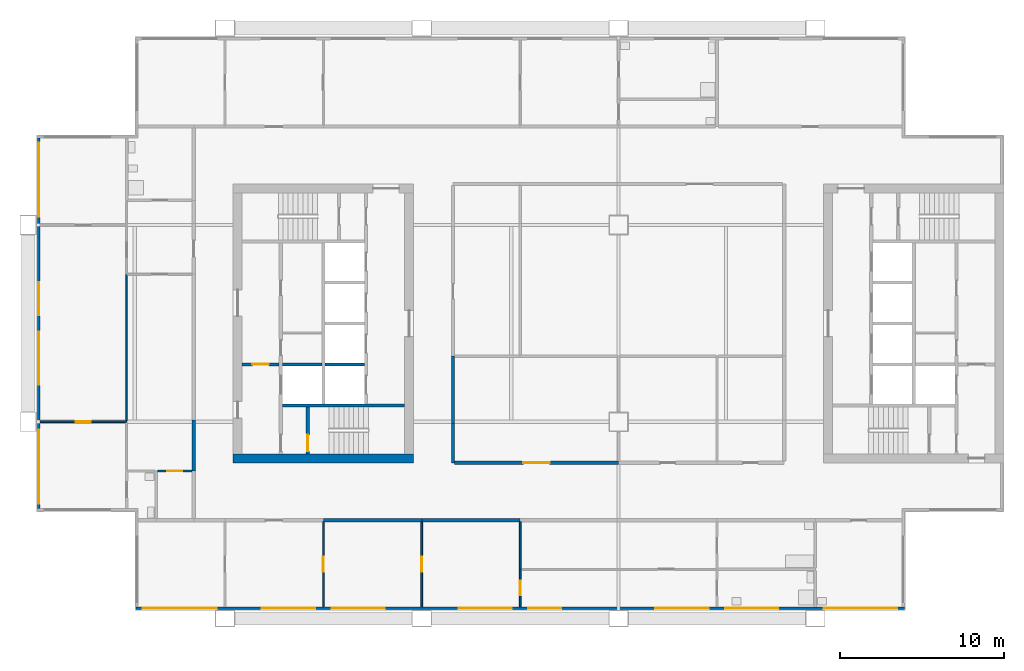
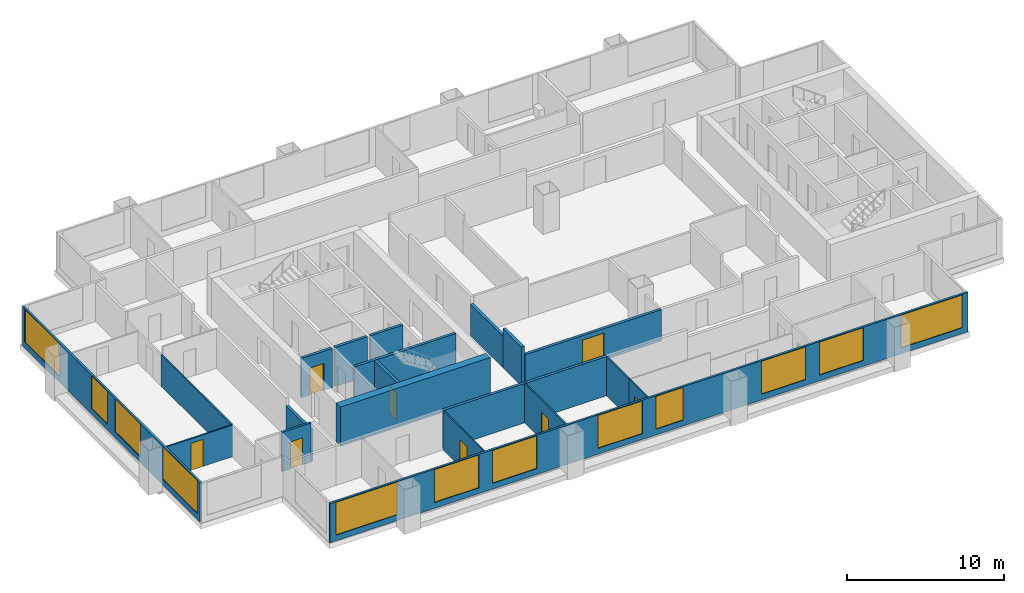
# One storey, part 2 of 8: 21 walls, 12 windows, 8 doors, 20 openings.
"""IFC4 building model written with IfcOpenShell, lengths in metres."""

from ifc_helpers import new_model, si_unit, direction, frame, frame_2d, origin, place, context, subcontext, project, spatial, rectangle, extrude, material, layer, layer_set, type_object, element, fill, save


model = new_model("IFC4")

# Units and contexts
model_context = context("Model", 3, precision=1e-05, world=origin(), true_north=direction((0.0, 1.0)))
body_context = subcontext(model_context, "Body", "Model", "MODEL_VIEW")
ifc_project = project(units=[si_unit("LENGTHUNIT", "METRE"), si_unit("AREAUNIT", "SQUARE_METRE"), si_unit("VOLUMEUNIT", "CUBIC_METRE"), si_unit("PLANEANGLEUNIT", "RADIAN"), si_unit("MASSUNIT", "GRAM", prefix="KILO")], contexts=[model_context])

# Site, building, storey
site_placement = place(None, origin())
site = spatial("IfcSite", under=ifc_project, at=site_placement, CompositionType="ELEMENT")
building_placement = place(site_placement, origin())
building = spatial("IfcBuilding", under=site, at=building_placement, Name="Kitamizu Gate Tower and Museum", CompositionType="ELEMENT")
storey_placement = place(building_placement, frame((0.0, 0.0, 189.300048828125)))
storey = spatial("IfcBuildingStorey", under=building, at=storey_placement, Name="L50", CompositionType="ELEMENT", Elevation=189.300048828125)

# Wall
ifc_material_1 = material(Name="Concrete Fc42", Category="concrete")
ifc_layer_1 = layer(ifc_material_1, 0.550048828125)
ifc_layer_set_1 = layer_set([ifc_layer_1], Name="Concrete Fc42")
wall_type_1 = type_object("IfcWallType", Name="Core wall 550", PredefinedType="SHEAR", material=ifc_layer_set_1)
wall_1_placement = place(storey_placement, frame((12.5, 21.77490234375, 0.0), z_axis=(0.0, 0.0, 1.0), x_axis=(1.0, 0.0, 0.0)))
element("IfcWall", 1, at=wall_1_placement, inside=storey, type_object=wall_type_1, Name="Core wall WS", PredefinedType="SHEAR", context=body_context, shape_type="SweptSolid", body=[
    extrude(rectangle(XDim=11.0, YDim=0.550048828125, at=frame_2d((5.5, 0.0))), origin(), (0.0, 0.0, 1.0), 3.050048828125),
])

# Wall, opening, door
ifc_material_2 = material(Name="Gypsum board on galvanised stud")
ifc_layer_2 = layer(ifc_material_2, 0.10009765625)
ifc_layer_set_2 = layer_set([ifc_layer_2], Name="Gypsum board on galvanised stud")
wall_type_2 = type_object("IfcWallType", Name="Partition 100 NOT RATED", PredefinedType="PARTITIONING", material=ifc_layer_set_2)
wall_2_placement = place(storey_placement, frame((18.0, 12.719970703125, 0.0), z_axis=(0.0, 0.0, 1.0), x_axis=(0.0, 1.0, 0.0)))
wall_2 = element("IfcWall", 2, at=wall_2_placement, inside=storey, type_object=wall_type_2, Name="Partition L50-005", PredefinedType="PARTITIONING", context=body_context, shape_type="SweptSolid", body=[
    extrude(rectangle(XDim=5.179931640625, YDim=0.10009765625, at=frame_2d((2.58984375, 0.0))), origin(), (0.0, 0.0, 1.0), 3.050048828125),
])
opening_1_placement = place(wall_2_placement, frame((2.139892578125, 0.0, 0.0)))
opening_1 = element("IfcOpeningElement", 3, at=opening_1_placement, cuts=wall_2, Name="Opening L50-003", PredefinedType="OPENING", context=body_context, shape_type="SweptSolid", body=[
    extrude(rectangle(XDim=0.89990234375, YDim=2.10009765625, at=frame_2d((0.449951171875, 1.050048828125))), frame((0.0, 0.06005859375, 0.0), z_axis=(0.0, -1.0, 0.0), x_axis=(1.0, 0.0, 0.0)), (0.0, 0.0, 1.0), 0.1201171875),
])
ifc_material_3 = material(Name="Timber door set", Category="wood")
door_type_1 = type_object("IfcDoorType", Name="Room door 900", OperationType="NOTDEFINED", PredefinedType="DOOR", material=ifc_material_3)
door_1_placement = place(opening_1_placement, frame((0.89990234375, 0.0, 0.0), x_axis=(-1.0, 0.0, 0.0)))
door_1 = element("IfcDoor", 4, at=door_1_placement, inside=storey, type_object=door_type_1, Name="Door L50-003", OperationType="SINGLE_SWING_LEFT", OverallHeight=2.10009765625, OverallWidth=0.89990234375, PredefinedType="DOOR", context=body_context, shape_type="SweptSolid", body=[
    extrude(rectangle(XDim=0.89990234375, YDim=2.10009765625, at=frame_2d((0.449951171875, 1.050048828125))), frame((0.0, 0.02490234375, 0.0), z_axis=(0.0, -1.0, 0.0), x_axis=(1.0, 0.0, 0.0)), (0.0, 0.0, 1.0), 0.050048828125),
])
fill(opening_1, door_1)

wall_3_placement = place(storey_placement, frame((24.0, 12.719970703125, 0.0), z_axis=(0.0, 0.0, 1.0), x_axis=(0.0, 1.0, 0.0)))
wall_3 = element("IfcWall", 5, at=wall_3_placement, inside=storey, type_object=wall_type_2, Name="Partition L50-007", PredefinedType="PARTITIONING", context=body_context, shape_type="SweptSolid", body=[
    extrude(rectangle(XDim=5.179931640625, YDim=0.10009765625, at=frame_2d((2.58984375, 0.0))), origin(), (0.0, 0.0, 1.0), 3.050048828125),
])
opening_2_placement = place(wall_3_placement, frame((2.139892578125, 0.0, 0.0)))
opening_2 = element("IfcOpeningElement", 6, at=opening_2_placement, cuts=wall_3, Name="Opening L50-004", PredefinedType="OPENING", context=body_context, shape_type="SweptSolid", body=[
    extrude(rectangle(XDim=0.89990234375, YDim=2.10009765625, at=frame_2d((0.449951171875, 1.050048828125))), frame((0.0, 0.06005859375, 0.0), z_axis=(0.0, -1.0, 0.0), x_axis=(1.0, 0.0, 0.0)), (0.0, 0.0, 1.0), 0.1201171875),
])
door_2_placement = place(opening_2_placement, origin())
door_2 = element("IfcDoor", 7, at=door_2_placement, inside=storey, type_object=door_type_1, Name="Door L50-004", OperationType="SINGLE_SWING_LEFT", OverallHeight=2.10009765625, OverallWidth=0.89990234375, PredefinedType="DOOR", context=body_context, shape_type="SweptSolid", body=[
    extrude(rectangle(XDim=0.89990234375, YDim=2.10009765625, at=frame_2d((0.449951171875, 1.050048828125))), frame((0.0, 0.02490234375, 0.0), z_axis=(0.0, -1.0, 0.0), x_axis=(1.0, 0.0, 0.0)), (0.0, 0.0, 1.0), 0.050048828125),
])
fill(opening_2, door_2)

wall_4_placement = place(storey_placement, frame((30.0, 12.719970703125, 0.0), z_axis=(0.0, 0.0, 1.0), x_axis=(0.0, 1.0, 0.0)))
wall_4 = element("IfcWall", 8, at=wall_4_placement, inside=storey, type_object=wall_type_2, Name="Partition L50-009", PredefinedType="PARTITIONING", context=body_context, shape_type="SweptSolid", body=[
    extrude(rectangle(XDim=2.280029296875, YDim=0.10009765625, at=frame_2d((1.14013671875, 0.0))), origin(), (0.0, 0.0, 1.0), 3.050048828125),
])
opening_3_placement = place(wall_4_placement, frame((0.68994140625, 0.0, 0.0)))
opening_3 = element("IfcOpeningElement", 9, at=opening_3_placement, cuts=wall_4, Name="Opening L50-005", PredefinedType="OPENING", context=body_context, shape_type="SweptSolid", body=[
    extrude(rectangle(XDim=0.89990234375, YDim=2.10009765625, at=frame_2d((0.449951171875, 1.050048828125))), frame((0.0, 0.06005859375, 0.0), z_axis=(0.0, -1.0, 0.0), x_axis=(1.0, 0.0, 0.0)), (0.0, 0.0, 1.0), 0.1201171875),
])
door_3_placement = place(opening_3_placement, frame((0.89990234375, 0.0, 0.0), x_axis=(-1.0, 0.0, 0.0)))
door_3 = element("IfcDoor", 10, at=door_3_placement, inside=storey, type_object=door_type_1, Name="Door L50-005", OperationType="SINGLE_SWING_LEFT", OverallHeight=2.10009765625, OverallWidth=0.89990234375, PredefinedType="DOOR", context=body_context, shape_type="SweptSolid", body=[
    extrude(rectangle(XDim=0.89990234375, YDim=2.10009765625, at=frame_2d((0.449951171875, 1.050048828125))), frame((0.0, 0.02490234375, 0.0), z_axis=(0.0, -1.0, 0.0), x_axis=(1.0, 0.0, 0.0)), (0.0, 0.0, 1.0), 0.050048828125),
])
fill(opening_3, door_3)

# Wall
wall_5_placement = place(storey_placement, frame((30.0, 15.0, 0.0), z_axis=(0.0, 0.0, 1.0), x_axis=(0.0, 1.0, 0.0)))
element("IfcWall", 11, at=wall_5_placement, inside=storey, type_object=wall_type_2, Name="Partition L50-010", PredefinedType="PARTITIONING", context=body_context, shape_type="SweptSolid", body=[
    extrude(rectangle(XDim=2.89990234375, YDim=0.10009765625, at=frame_2d((1.449951171875, 0.0))), origin(), (0.0, 0.0, 1.0), 3.050048828125),
])

# Wall, opening, door
wall_6_placement = place(storey_placement, frame((6.0, 24.0, 0.0), z_axis=(0.0, 0.0, 1.0), x_axis=(-1.0, 0.0, 0.0)))
wall_6 = element("IfcWall", 12, at=wall_6_placement, inside=storey, type_object=wall_type_2, Name="Partition L50-038", PredefinedType="PARTITIONING", context=body_context, shape_type="SweptSolid", body=[
    extrude(rectangle(XDim=5.280029296875, YDim=0.10009765625, at=frame_2d((2.64013671875, 0.0))), origin(), (0.0, 0.0, 1.0), 2.449951171875),
])
opening_4_placement = place(wall_6_placement, frame((2.18994140625, 0.0, 0.0)))
opening_4 = element("IfcOpeningElement", 13, at=opening_4_placement, cuts=wall_6, Name="Opening L50-019", PredefinedType="OPENING", context=body_context, shape_type="SweptSolid", body=[
    extrude(rectangle(XDim=0.89990234375, YDim=2.10009765625, at=frame_2d((0.449951171875, 1.050048828125))), frame((0.0, 0.06005859375, 0.0), z_axis=(0.0, -1.0, 0.0), x_axis=(1.0, 0.0, 0.0)), (0.0, 0.0, 1.0), 0.1201171875),
])
door_4_placement = place(opening_4_placement, origin())
door_4 = element("IfcDoor", 14, at=door_4_placement, inside=storey, type_object=door_type_1, Name="Door L50-019", OperationType="SINGLE_SWING_RIGHT", OverallHeight=2.10009765625, OverallWidth=0.89990234375, PredefinedType="DOOR", context=body_context, shape_type="SweptSolid", body=[
    extrude(rectangle(XDim=0.89990234375, YDim=2.10009765625, at=frame_2d((0.449951171875, 1.050048828125))), frame((0.0, 0.02490234375, 0.0), z_axis=(0.0, -1.0, 0.0), x_axis=(1.0, 0.0, 0.0)), (0.0, 0.0, 1.0), 0.050048828125),
])
fill(opening_4, door_4)

# Wall
wall_7_placement = place(storey_placement, frame((6.0, 24.050048828125, 0.0), z_axis=(0.0, 0.0, 1.0), x_axis=(0.0, 1.0, 0.0)))
element("IfcWall", 15, at=wall_7_placement, inside=storey, type_object=wall_type_2, Name="Partition L50-042", PredefinedType="PARTITIONING", context=body_context, shape_type="SweptSolid", body=[
    extrude(rectangle(XDim=8.949951171875, YDim=0.10009765625, at=frame_2d((4.47509765625, 0.0))), origin(), (0.0, 0.0, 1.0), 2.449951171875),
])

# Wall, opening, door
ifc_material_4 = material(Name="Gypsum board on galvanised stud")
ifc_layer_3 = layer(ifc_material_4, 0.14990234375)
ifc_layer_set_3 = layer_set([ifc_layer_3], Name="Gypsum board on galvanised stud")
wall_type_3 = type_object("IfcWallType", Name="Partition 150", PredefinedType="PARTITIONING", material=ifc_layer_set_3)
wall_8_placement = place(storey_placement, frame((10.0, 21.0, 0.0), z_axis=(0.0, 0.0, 1.0), x_axis=(-1.0, 0.0, 0.0)))
wall_8 = element("IfcWall", 16, at=wall_8_placement, inside=storey, type_object=wall_type_3, Name="Partition L50-048", PredefinedType="PARTITIONING", context=body_context, shape_type="SweptSolid", body=[
    extrude(rectangle(XDim=2.125, YDim=0.14990234375, at=frame_2d((1.0625, 0.0))), origin(), (0.0, 0.0, 1.0), 3.050048828125),
])
opening_5_placement = place(wall_8_placement, frame((0.612548828125, 0.0, 0.0)))
opening_5 = element("IfcOpeningElement", 17, at=opening_5_placement, cuts=wall_8, Name="Opening L50-023", PredefinedType="OPENING", context=body_context, shape_type="SweptSolid", body=[
    extrude(rectangle(XDim=0.89990234375, YDim=2.10009765625, at=frame_2d((0.449951171875, 1.050048828125))), frame((0.0, 0.0849609375, 0.0), z_axis=(0.0, -1.0, 0.0), x_axis=(1.0, 0.0, 0.0)), (0.0, 0.0, 1.0), 0.169921875),
])
ifc_material_5 = material(Name="Timber door set", Category="wood")
door_type_2 = type_object("IfcDoorType", Name="Bathroom door 900", OperationType="NOTDEFINED", PredefinedType="DOOR", material=ifc_material_5)
door_5_placement = place(opening_5_placement, origin())
door_5 = element("IfcDoor", 18, at=door_5_placement, inside=storey, type_object=door_type_2, Name="Bathroom door L50-023", OperationType="SINGLE_SWING_RIGHT", OverallHeight=2.10009765625, OverallWidth=0.89990234375, PredefinedType="DOOR", context=body_context, shape_type="SweptSolid", body=[
    extrude(rectangle(XDim=0.89990234375, YDim=2.10009765625, at=frame_2d((0.449951171875, 1.050048828125))), frame((0.0, 0.02490234375, 0.0), z_axis=(0.0, -1.0, 0.0), x_axis=(1.0, 0.0, 0.0)), (0.0, 0.0, 1.0), 0.050048828125),
])
fill(opening_5, door_5)

# Walls
ifc_material_6 = material(Name="Gypsum board on galvanised stud")
ifc_layer_4 = layer(ifc_material_6, 0.199951171875)
ifc_layer_set_4 = layer_set([ifc_layer_4], Name="Gypsum board on galvanised stud")
wall_type_4 = type_object("IfcWallType", Name="Partition 200", PredefinedType="PARTITIONING", material=ifc_layer_set_4)
for number, where, z_axis, x_axis, name in (
    (19, (24.0, 18.0, 0.0), (0.0, 0.0, 1.0), (-1.0, 0.0, 0.0), "Partition L50-008"),
    (20, (30.0, 18.0, 0.0), (0.0, 0.0, 1.0), (-1.0, 0.0, 0.0), "Partition L50-011"),
):
    element("IfcWall", number, at=place(storey_placement, frame(where, z_axis=z_axis, x_axis=x_axis)), inside=storey, type_object=wall_type_4, Name=name, PredefinedType="PARTITIONING", context=body_context, shape_type="SweptSolid", body=[
        extrude(rectangle(XDim=6.0, YDim=0.199951171875, at=frame_2d((3.0, 0.0))), origin(), (0.0, 0.0, 1.0), 3.050048828125),
    ])
wall_9_placement = place(storey_placement, frame((10.10009765625, 21.0, 0.0), z_axis=(0.0, 0.0, 1.0), x_axis=(0.0, 1.0, 0.0)))
element("IfcWall", 21, at=wall_9_placement, inside=storey, type_object=wall_type_4, Name="Partition L50-051", PredefinedType="PARTITIONING", context=body_context, shape_type="SweptSolid", body=[
    extrude(rectangle(XDim=3.10009765625, YDim=0.199951171875, at=frame_2d((1.550048828125, 0.0))), origin(), (0.0, 0.0, 1.0), 2.449951171875),
])
wall_10_placement = place(storey_placement, frame((25.89990234375, 28.0, 0.0), z_axis=(0.0, 0.0, 1.0), x_axis=(0.0, -1.0, 0.0)))
element("IfcWall", 22, at=wall_10_placement, inside=storey, type_object=wall_type_4, Name="Partition L50-057", PredefinedType="PARTITIONING", context=body_context, shape_type="SweptSolid", body=[
    extrude(rectangle(XDim=4.10009765625, YDim=0.199951171875, at=frame_2d((2.050048828125, 0.0))), origin(), (0.0, 0.0, 1.0), 2.449951171875),
])
wall_11_placement = place(storey_placement, frame((25.89990234375, 23.89990234375, 0.0), z_axis=(0.0, 0.0, 1.0), x_axis=(0.0, -1.0, 0.0)))
element("IfcWall", 23, at=wall_11_placement, inside=storey, type_object=wall_type_4, Name="Partition L50-058", PredefinedType="PARTITIONING", context=body_context, shape_type="SweptSolid", body=[
    extrude(rectangle(XDim=2.39990234375, YDim=0.199951171875, at=frame_2d((1.199951171875, 0.0))), origin(), (0.0, 0.0, 1.0), 3.050048828125),
])

# Wall, opening, door
wall_12_placement = place(storey_placement, frame((26.0, 21.5, 0.0), z_axis=(0.0, 0.0, 1.0), x_axis=(1.0, 0.0, 0.0)))
wall_12 = element("IfcWall", 24, at=wall_12_placement, inside=storey, type_object=wall_type_4, Name="Partition L50-059", PredefinedType="PARTITIONING", context=body_context, shape_type="SweptSolid", body=[
    extrude(rectangle(XDim=10.0, YDim=0.199951171875, at=frame_2d((5.0, 0.0))), origin(), (0.0, 0.0, 1.0), 2.449951171875),
])
opening_6_placement = place(wall_12_placement, frame((4.199951171875, 0.0, 0.0)))
opening_6 = element("IfcOpeningElement", 25, at=opening_6_placement, cuts=wall_12, Name="Opening L50-025", PredefinedType="OPENING", context=body_context, shape_type="SweptSolid", body=[
    extrude(rectangle(XDim=1.60009765625, YDim=2.10009765625, at=frame_2d((0.800048828125, 1.050048828125))), frame((0.0, 0.10986328125, 0.0), z_axis=(0.0, -1.0, 0.0), x_axis=(1.0, 0.0, 0.0)), (0.0, 0.0, 1.0), 0.219970703125),
])
ifc_material_7 = material(Name="Timber door set", Category="wood")
door_type_3 = type_object("IfcDoorType", Name="Double door 1600", OperationType="DOUBLE_DOOR_SINGLE_SWING", PredefinedType="DOOR", material=ifc_material_7)
door_6_placement = place(opening_6_placement, origin())
door_6 = element("IfcDoor", 26, at=door_6_placement, inside=storey, type_object=door_type_3, Name="Double door L50-025", OperationType="DOUBLE_DOOR_SINGLE_SWING", OverallHeight=2.10009765625, OverallWidth=1.60009765625, PredefinedType="DOOR", context=body_context, shape_type="SweptSolid", body=[
    extrude(rectangle(XDim=1.60009765625, YDim=2.10009765625, at=frame_2d((0.800048828125, 1.050048828125))), frame((0.0, 0.02490234375, 0.0), z_axis=(0.0, -1.0, 0.0), x_axis=(1.0, 0.0, 0.0)), (0.0, 0.0, 1.0), 0.050048828125),
])
fill(opening_6, door_6)

# Wall
ifc_material_8 = material(Name="Concrete Fc42", Category="concrete")
ifc_layer_5 = layer(ifc_material_8, 0.199951171875)
ifc_layer_set_5 = layer_set([ifc_layer_5], Name="Concrete Fc42")
wall_type_5 = type_object("IfcWallType", Name="Shaft wall 200", PredefinedType="SOLIDWALL", material=ifc_layer_set_5)
wall_13_placement = place(storey_placement, frame((15.5, 25.0, 0.0), z_axis=(0.0, 0.0, 1.0), x_axis=(1.0, 0.0, 0.0)))
element("IfcWall", 27, at=wall_13_placement, inside=storey, type_object=wall_type_5, Name="Shaft wall WSB", PredefinedType="SOLIDWALL", context=body_context, shape_type="SweptSolid", body=[
    extrude(rectangle(XDim=7.449951171875, YDim=0.199951171875, at=frame_2d((3.72509765625, 0.0))), origin(), (0.0, 0.0, 1.0), 3.050048828125),
])

# Wall, opening, door
wall_14_placement = place(storey_placement, frame((13.050048828125, 27.5, 0.0), z_axis=(0.0, 0.0, 1.0), x_axis=(1.0, 0.0, 0.0)))
wall_14 = element("IfcWall", 28, at=wall_14_placement, inside=storey, type_object=wall_type_5, Name="Shaft wall WFFN", PredefinedType="SOLIDWALL", context=body_context, shape_type="SweptSolid", body=[
    extrude(rectangle(XDim=2.25, YDim=0.199951171875, at=frame_2d((1.125, 0.0))), origin(), (0.0, 0.0, 1.0), 3.050048828125),
])
opening_7_placement = place(wall_14_placement, frame((0.625, 0.0, 0.0)))
opening_7 = element("IfcOpeningElement", 29, at=opening_7_placement, cuts=wall_14, Name="Opening L50-034", PredefinedType="OPENING", context=body_context, shape_type="SweptSolid", body=[
    extrude(rectangle(XDim=1.0, YDim=2.10009765625, at=frame_2d((0.5, 1.050048828125))), frame((0.0, 0.10986328125, 0.0), z_axis=(0.0, -1.0, 0.0), x_axis=(1.0, 0.0, 0.0)), (0.0, 0.0, 1.0), 0.219970703125),
])
ifc_material_9 = material(Name="Hollow metal door set")
door_type_4 = type_object("IfcDoorType", Name="Fire door 1000", OperationType="NOTDEFINED", PredefinedType="DOOR", material=ifc_material_9)
door_7_placement = place(opening_7_placement, frame((1.0, 0.0, 0.0), x_axis=(-1.0, 0.0, 0.0)))
door_7 = element("IfcDoor", 30, at=door_7_placement, inside=storey, type_object=door_type_4, Name="Fire-fighting lobby door L50-034", OperationType="SINGLE_SWING_RIGHT", OverallHeight=2.10009765625, OverallWidth=1.0, PredefinedType="DOOR", context=body_context, shape_type="SweptSolid", body=[
    extrude(rectangle(XDim=1.0, YDim=2.10009765625, at=frame_2d((0.5, 1.050048828125))), frame((0.0, 0.02490234375, 0.0), z_axis=(0.0, -1.0, 0.0), x_axis=(1.0, 0.0, 0.0)), (0.0, 0.0, 1.0), 0.050048828125),
])
fill(opening_7, door_7)

wall_15_placement = place(storey_placement, frame((17.050048828125, 22.050048828125, 0.0), z_axis=(0.0, 0.0, 1.0), x_axis=(0.0, 1.0, 0.0)))
wall_15 = element("IfcWall", 31, at=wall_15_placement, inside=storey, type_object=wall_type_5, Name="Shaft wall WSZ", PredefinedType="SOLIDWALL", context=body_context, shape_type="SweptSolid", body=[
    extrude(rectangle(XDim=2.849853515625, YDim=0.199951171875, at=frame_2d((1.4248046875, 0.0))), origin(), (0.0, 0.0, 1.0), 3.050048828125),
])
opening_8_placement = place(wall_15_placement, frame((0.14990234375, 0.0, 0.0)))
opening_8 = element("IfcOpeningElement", 32, at=opening_8_placement, cuts=wall_15, Name="Opening L50-030", PredefinedType="OPENING", context=body_context, shape_type="SweptSolid", body=[
    extrude(rectangle(XDim=1.0, YDim=2.10009765625, at=frame_2d((0.5, 1.050048828125))), frame((0.0, 0.10986328125, 0.0), z_axis=(0.0, -1.0, 0.0), x_axis=(1.0, 0.0, 0.0)), (0.0, 0.0, 1.0), 0.219970703125),
])
door_8_placement = place(opening_8_placement, frame((1.0, 0.0, 0.0), x_axis=(-1.0, 0.0, 0.0)))
door_8 = element("IfcDoor", 33, at=door_8_placement, inside=storey, type_object=door_type_4, Name="Stair door L50-030", OperationType="SINGLE_SWING_LEFT", OverallHeight=2.10009765625, OverallWidth=1.0, PredefinedType="DOOR", context=body_context, shape_type="SweptSolid", body=[
    extrude(rectangle(XDim=1.0, YDim=2.10009765625, at=frame_2d((0.5, 1.050048828125))), frame((0.0, 0.02490234375, 0.0), z_axis=(0.0, -1.0, 0.0), x_axis=(1.0, 0.0, 0.0)), (0.0, 0.0, 1.0), 0.050048828125),
])
fill(opening_8, door_8)

# Walls
for number, where, z_axis, x_axis, name in (
    (34, (15.5, 27.5, 0.0), (0.0, 0.0, 1.0), (1.0, 0.0, 0.0), "Shaft wall WDVW0"),
    (35, (18.10009765625, 27.5, 0.0), (0.0, 0.0, 1.0), (1.0, 0.0, 0.0), "Shaft wall WDVE0"),
):
    element("IfcWall", number, at=place(storey_placement, frame(where, z_axis=z_axis, x_axis=x_axis)), inside=storey, type_object=wall_type_5, Name=name, PredefinedType="SOLIDWALL", context=body_context, shape_type="SweptSolid", body=[
        extrude(rectangle(XDim=2.39990234375, YDim=0.199951171875, at=frame_2d((1.199951171875, 0.0))), origin(), (0.0, 0.0, 1.0), 3.050048828125),
    ])

# Wall, openings, windows
ifc_material_10 = material(Name="Bronze anodised aluminium frame with insulated spandrel and tinted glass", Category="aluminium")
ifc_layer_6 = layer(ifc_material_10, 0.14990234375)
ifc_layer_set_6 = layer_set([ifc_layer_6], Name="Bronze anodised aluminium frame with insulated spandrel and tinted glass")
wall_type_6 = type_object("IfcWallType", Name="WINDOW WALL 150 BRONZE FRAME EI 30", PredefinedType="ELEMENTEDWALL", material=ifc_layer_set_6)
wall_16_placement = place(storey_placement, frame((6.56005859375, 12.635009765625, 0.0), z_axis=(0.0, 0.0, 1.0), x_axis=(1.0, 0.0, 0.0)))
wall_16 = element("IfcWall", 36, at=wall_16_placement, inside=storey, type_object=wall_type_6, Name="Window wall south L50", PredefinedType="ELEMENTEDWALL", context=body_context, shape_type="SweptSolid", body=[
    extrude(rectangle(XDim=46.8798828125, YDim=0.14990234375, at=frame_2d((23.43994140625, 0.0))), origin(), (0.0, 0.0, 1.0), 3.050048828125),
])
opening_9_placement = place(wall_16_placement, frame((0.43994140625, 0.0, 0.449951171875)))
opening_9 = element("IfcOpeningElement", 37, at=opening_9_placement, cuts=wall_16, Name="Opening W15", PredefinedType="OPENING", context=body_context, shape_type="SweptSolid", body=[
    extrude(rectangle(XDim=4.5, YDim=2.550048828125, at=frame_2d((2.25, 1.27490234375))), frame((0.0, 0.0849609375, 0.0), z_axis=(0.0, -1.0, 0.0), x_axis=(1.0, 0.0, 0.0)), (0.0, 0.0, 1.0), 0.169921875),
])
opening_10_placement = place(wall_16_placement, frame((7.68994140625, 0.0, 0.449951171875)))
opening_10 = element("IfcOpeningElement", 38, at=opening_10_placement, cuts=wall_16, Name="Opening W34", PredefinedType="OPENING", context=body_context, shape_type="SweptSolid", body=[
    extrude(rectangle(XDim=3.25, YDim=2.550048828125, at=frame_2d((1.625, 1.27490234375))), frame((0.0, 0.0849609375, 0.0), z_axis=(0.0, -1.0, 0.0), x_axis=(1.0, 0.0, 0.0)), (0.0, 0.0, 1.0), 0.169921875),
])
opening_11_placement = place(wall_16_placement, frame((11.93994140625, 0.0, 0.449951171875)))
opening_11 = element("IfcOpeningElement", 39, at=opening_11_placement, cuts=wall_16, Name="Opening W34", PredefinedType="OPENING", context=body_context, shape_type="SweptSolid", body=[
    extrude(rectangle(XDim=3.25, YDim=2.550048828125, at=frame_2d((1.625, 1.27490234375))), frame((0.0, 0.0849609375, 0.0), z_axis=(0.0, -1.0, 0.0), x_axis=(1.0, 0.0, 0.0)), (0.0, 0.0, 1.0), 0.169921875),
])
opening_12_placement = place(wall_16_placement, frame((19.68994140625, 0.0, 0.449951171875)))
opening_12 = element("IfcOpeningElement", 40, at=opening_12_placement, cuts=wall_16, Name="Opening W34", PredefinedType="OPENING", context=body_context, shape_type="SweptSolid", body=[
    extrude(rectangle(XDim=3.25, YDim=2.550048828125, at=frame_2d((1.625, 1.27490234375))), frame((0.0, 0.0849609375, 0.0), z_axis=(0.0, -1.0, 0.0), x_axis=(1.0, 0.0, 0.0)), (0.0, 0.0, 1.0), 0.169921875),
])
opening_13_placement = place(wall_16_placement, frame((23.93994140625, 0.0, 0.449951171875)))
opening_13 = element("IfcOpeningElement", 41, at=opening_13_placement, cuts=wall_16, Name="Opening W2", PredefinedType="OPENING", context=body_context, shape_type="SweptSolid", body=[
    extrude(rectangle(XDim=2.0, YDim=2.550048828125, at=frame_2d((1.0, 1.27490234375))), frame((0.0, 0.0849609375, 0.0), z_axis=(0.0, -1.0, 0.0), x_axis=(1.0, 0.0, 0.0)), (0.0, 0.0, 1.0), 0.169921875),
])
opening_14_placement = place(wall_16_placement, frame((31.68994140625, 0.0, 0.449951171875)))
opening_14 = element("IfcOpeningElement", 42, at=opening_14_placement, cuts=wall_16, Name="Opening W34", PredefinedType="OPENING", context=body_context, shape_type="SweptSolid", body=[
    extrude(rectangle(XDim=3.25, YDim=2.550048828125, at=frame_2d((1.625, 1.27490234375))), frame((0.0, 0.0849609375, 0.0), z_axis=(0.0, -1.0, 0.0), x_axis=(1.0, 0.0, 0.0)), (0.0, 0.0, 1.0), 0.169921875),
])
opening_15_placement = place(wall_16_placement, frame((35.93994140625, 0.0, 0.449951171875)))
opening_15 = element("IfcOpeningElement", 43, at=opening_15_placement, cuts=wall_16, Name="Opening W34", PredefinedType="OPENING", context=body_context, shape_type="SweptSolid", body=[
    extrude(rectangle(XDim=3.25, YDim=2.550048828125, at=frame_2d((1.625, 1.27490234375))), frame((0.0, 0.0849609375, 0.0), z_axis=(0.0, -1.0, 0.0), x_axis=(1.0, 0.0, 0.0)), (0.0, 0.0, 1.0), 0.169921875),
])
opening_16_placement = place(wall_16_placement, frame((41.93994140625, 0.0, 0.449951171875)))
opening_16 = element("IfcOpeningElement", 44, at=opening_16_placement, cuts=wall_16, Name="Opening W15", PredefinedType="OPENING", context=body_context, shape_type="SweptSolid", body=[
    extrude(rectangle(XDim=4.5, YDim=2.550048828125, at=frame_2d((2.25, 1.27490234375))), frame((0.0, 0.0849609375, 0.0), z_axis=(0.0, -1.0, 0.0), x_axis=(1.0, 0.0, 0.0)), (0.0, 0.0, 1.0), 0.169921875),
])
ifc_material_11 = material(Name="Bronze anodised aluminium frame, tinted triple glazing", Category="aluminium")
window_type_1 = type_object("IfcWindowType", Name="WINDOW 2000 x 2550 SILL 450", PartitioningType="SINGLE_PANEL", PredefinedType="WINDOW", material=ifc_material_11)
window_1_placement = place(opening_13_placement, origin())
window_1 = element("IfcWindow", 45, at=window_1_placement, inside=storey, type_object=window_type_1, Name="Window W2 L50", OverallHeight=2.550048828125, OverallWidth=2.0, PartitioningType="SINGLE_PANEL", PredefinedType="WINDOW", context=body_context, shape_type="SweptSolid", body=[
    extrude(rectangle(XDim=2.0, YDim=2.550048828125, at=frame_2d((1.0, 1.27490234375))), frame((0.0, 0.030029296875, 0.0), z_axis=(0.0, -1.0, 0.0), x_axis=(1.0, 0.0, 0.0)), (0.0, 0.0, 1.0), 0.06005859375),
])
fill(opening_13, window_1)
ifc_material_12 = material(Name="Bronze anodised aluminium frame, tinted triple glazing", Category="aluminium")
window_type_2 = type_object("IfcWindowType", Name="WINDOW 3250 x 2550 SILL 450", PartitioningType="SINGLE_PANEL", PredefinedType="WINDOW", material=ifc_material_12)
window_2_placement = place(opening_10_placement, origin())
window_2 = element("IfcWindow", 46, at=window_2_placement, inside=storey, type_object=window_type_2, Name="Window W34 L50", OverallHeight=2.550048828125, OverallWidth=3.25, PartitioningType="SINGLE_PANEL", PredefinedType="WINDOW", context=body_context, shape_type="SweptSolid", body=[
    extrude(rectangle(XDim=3.25, YDim=2.550048828125, at=frame_2d((1.625, 1.27490234375))), frame((0.0, 0.030029296875, 0.0), z_axis=(0.0, -1.0, 0.0), x_axis=(1.0, 0.0, 0.0)), (0.0, 0.0, 1.0), 0.06005859375),
])
fill(opening_10, window_2)
window_3_placement = place(opening_11_placement, origin())
window_3 = element("IfcWindow", 47, at=window_3_placement, inside=storey, type_object=window_type_2, Name="Window W34 L50", OverallHeight=2.550048828125, OverallWidth=3.25, PartitioningType="SINGLE_PANEL", PredefinedType="WINDOW", context=body_context, shape_type="SweptSolid", body=[
    extrude(rectangle(XDim=3.25, YDim=2.550048828125, at=frame_2d((1.625, 1.27490234375))), frame((0.0, 0.030029296875, 0.0), z_axis=(0.0, -1.0, 0.0), x_axis=(1.0, 0.0, 0.0)), (0.0, 0.0, 1.0), 0.06005859375),
])
fill(opening_11, window_3)
window_4_placement = place(opening_12_placement, origin())
window_4 = element("IfcWindow", 48, at=window_4_placement, inside=storey, type_object=window_type_2, Name="Window W34 L50", OverallHeight=2.550048828125, OverallWidth=3.25, PartitioningType="SINGLE_PANEL", PredefinedType="WINDOW", context=body_context, shape_type="SweptSolid", body=[
    extrude(rectangle(XDim=3.25, YDim=2.550048828125, at=frame_2d((1.625, 1.27490234375))), frame((0.0, 0.030029296875, 0.0), z_axis=(0.0, -1.0, 0.0), x_axis=(1.0, 0.0, 0.0)), (0.0, 0.0, 1.0), 0.06005859375),
])
fill(opening_12, window_4)
window_5_placement = place(opening_14_placement, origin())
window_5 = element("IfcWindow", 49, at=window_5_placement, inside=storey, type_object=window_type_2, Name="Window W34 L50", OverallHeight=2.550048828125, OverallWidth=3.25, PartitioningType="SINGLE_PANEL", PredefinedType="WINDOW", context=body_context, shape_type="SweptSolid", body=[
    extrude(rectangle(XDim=3.25, YDim=2.550048828125, at=frame_2d((1.625, 1.27490234375))), frame((0.0, 0.030029296875, 0.0), z_axis=(0.0, -1.0, 0.0), x_axis=(1.0, 0.0, 0.0)), (0.0, 0.0, 1.0), 0.06005859375),
])
fill(opening_14, window_5)
window_6_placement = place(opening_15_placement, origin())
window_6 = element("IfcWindow", 50, at=window_6_placement, inside=storey, type_object=window_type_2, Name="Window W34 L50", OverallHeight=2.550048828125, OverallWidth=3.25, PartitioningType="SINGLE_PANEL", PredefinedType="WINDOW", context=body_context, shape_type="SweptSolid", body=[
    extrude(rectangle(XDim=3.25, YDim=2.550048828125, at=frame_2d((1.625, 1.27490234375))), frame((0.0, 0.030029296875, 0.0), z_axis=(0.0, -1.0, 0.0), x_axis=(1.0, 0.0, 0.0)), (0.0, 0.0, 1.0), 0.06005859375),
])
fill(opening_15, window_6)
ifc_material_13 = material(Name="Bronze anodised aluminium frame, tinted triple glazing", Category="aluminium")
window_type_3 = type_object("IfcWindowType", Name="WINDOW 4500 x 2550 SILL 450", PartitioningType="SINGLE_PANEL", PredefinedType="WINDOW", material=ifc_material_13)
window_7_placement = place(opening_9_placement, origin())
window_7 = element("IfcWindow", 51, at=window_7_placement, inside=storey, type_object=window_type_3, Name="Window W15 L50", OverallHeight=2.550048828125, OverallWidth=4.5, PartitioningType="SINGLE_PANEL", PredefinedType="WINDOW", context=body_context, shape_type="SweptSolid", body=[
    extrude(rectangle(XDim=4.5, YDim=2.550048828125, at=frame_2d((2.25, 1.27490234375))), frame((0.0, 0.030029296875, 0.0), z_axis=(0.0, -1.0, 0.0), x_axis=(1.0, 0.0, 0.0)), (0.0, 0.0, 1.0), 0.06005859375),
])
fill(opening_9, window_7)
window_8_placement = place(opening_16_placement, origin())
window_8 = element("IfcWindow", 52, at=window_8_placement, inside=storey, type_object=window_type_3, Name="Window W15 L50", OverallHeight=2.550048828125, OverallWidth=4.5, PartitioningType="SINGLE_PANEL", PredefinedType="WINDOW", context=body_context, shape_type="SweptSolid", body=[
    extrude(rectangle(XDim=4.5, YDim=2.550048828125, at=frame_2d((2.25, 1.27490234375))), frame((0.0, 0.030029296875, 0.0), z_axis=(0.0, -1.0, 0.0), x_axis=(1.0, 0.0, 0.0)), (0.0, 0.0, 1.0), 0.06005859375),
])
fill(opening_16, window_8)

wall_17_placement = place(storey_placement, frame((0.635009765625, 18.7099609375, 0.0), z_axis=(0.0, 0.0, 1.0), x_axis=(0.0, 1.0, 0.0)))
wall_17 = element("IfcWall", 53, at=wall_17_placement, inside=storey, type_object=wall_type_6, Name="Window wall west L50", PredefinedType="ELEMENTEDWALL", context=body_context, shape_type="SweptSolid", body=[
    extrude(rectangle(XDim=22.580078125, YDim=0.14990234375, at=frame_2d((11.2900390625, 0.0))), origin(), (0.0, 0.0, 1.0), 3.050048828125),
])
opening_17_placement = place(wall_17_placement, frame((0.2900390625, 0.0, 0.449951171875)))
opening_17 = element("IfcOpeningElement", 54, at=opening_17_placement, cuts=wall_17, Name="Opening W15", PredefinedType="OPENING", context=body_context, shape_type="SweptSolid", body=[
    extrude(rectangle(XDim=4.5, YDim=2.550048828125, at=frame_2d((2.25, 1.27490234375))), frame((0.0, 0.0849609375, 0.0), z_axis=(0.0, -1.0, 0.0), x_axis=(1.0, 0.0, 0.0)), (0.0, 0.0, 1.0), 0.169921875),
])
opening_18_placement = place(wall_17_placement, frame((7.5400390625, 0.0, 0.449951171875)))
opening_18 = element("IfcOpeningElement", 55, at=opening_18_placement, cuts=wall_17, Name="Opening W34", PredefinedType="OPENING", context=body_context, shape_type="SweptSolid", body=[
    extrude(rectangle(XDim=3.25, YDim=2.550048828125, at=frame_2d((1.625, 1.27490234375))), frame((0.0, 0.0849609375, 0.0), z_axis=(0.0, -1.0, 0.0), x_axis=(1.0, 0.0, 0.0)), (0.0, 0.0, 1.0), 0.169921875),
])
opening_19_placement = place(wall_17_placement, frame((11.7900390625, 0.0, 0.449951171875)))
opening_19 = element("IfcOpeningElement", 56, at=opening_19_placement, cuts=wall_17, Name="Opening W2", PredefinedType="OPENING", context=body_context, shape_type="SweptSolid", body=[
    extrude(rectangle(XDim=2.0, YDim=2.550048828125, at=frame_2d((1.0, 1.27490234375))), frame((0.0, 0.0849609375, 0.0), z_axis=(0.0, -1.0, 0.0), x_axis=(1.0, 0.0, 0.0)), (0.0, 0.0, 1.0), 0.169921875),
])
opening_20_placement = place(wall_17_placement, frame((17.7900390625, 0.0, 0.449951171875)))
opening_20 = element("IfcOpeningElement", 57, at=opening_20_placement, cuts=wall_17, Name="Opening W15", PredefinedType="OPENING", context=body_context, shape_type="SweptSolid", body=[
    extrude(rectangle(XDim=4.5, YDim=2.550048828125, at=frame_2d((2.25, 1.27490234375))), frame((0.0, 0.0849609375, 0.0), z_axis=(0.0, -1.0, 0.0), x_axis=(1.0, 0.0, 0.0)), (0.0, 0.0, 1.0), 0.169921875),
])
window_9_placement = place(opening_19_placement, origin())
window_9 = element("IfcWindow", 58, at=window_9_placement, inside=storey, type_object=window_type_1, Name="Window W2 L50", OverallHeight=2.550048828125, OverallWidth=2.0, PartitioningType="SINGLE_PANEL", PredefinedType="WINDOW", context=body_context, shape_type="SweptSolid", body=[
    extrude(rectangle(XDim=2.0, YDim=2.550048828125, at=frame_2d((1.0, 1.27490234375))), frame((0.0, 0.030029296875, 0.0), z_axis=(0.0, -1.0, 0.0), x_axis=(1.0, 0.0, 0.0)), (0.0, 0.0, 1.0), 0.06005859375),
])
fill(opening_19, window_9)
window_10_placement = place(opening_18_placement, origin())
window_10 = element("IfcWindow", 59, at=window_10_placement, inside=storey, type_object=window_type_2, Name="Window W34 L50", OverallHeight=2.550048828125, OverallWidth=3.25, PartitioningType="SINGLE_PANEL", PredefinedType="WINDOW", context=body_context, shape_type="SweptSolid", body=[
    extrude(rectangle(XDim=3.25, YDim=2.550048828125, at=frame_2d((1.625, 1.27490234375))), frame((0.0, 0.030029296875, 0.0), z_axis=(0.0, -1.0, 0.0), x_axis=(1.0, 0.0, 0.0)), (0.0, 0.0, 1.0), 0.06005859375),
])
fill(opening_18, window_10)
window_11_placement = place(opening_17_placement, origin())
window_11 = element("IfcWindow", 60, at=window_11_placement, inside=storey, type_object=window_type_3, Name="Window W15 L50", OverallHeight=2.550048828125, OverallWidth=4.5, PartitioningType="SINGLE_PANEL", PredefinedType="WINDOW", context=body_context, shape_type="SweptSolid", body=[
    extrude(rectangle(XDim=4.5, YDim=2.550048828125, at=frame_2d((2.25, 1.27490234375))), frame((0.0, 0.030029296875, 0.0), z_axis=(0.0, -1.0, 0.0), x_axis=(1.0, 0.0, 0.0)), (0.0, 0.0, 1.0), 0.06005859375),
])
fill(opening_17, window_11)
window_12_placement = place(opening_20_placement, origin())
window_12 = element("IfcWindow", 61, at=window_12_placement, inside=storey, type_object=window_type_3, Name="Window W15 L50", OverallHeight=2.550048828125, OverallWidth=4.5, PartitioningType="SINGLE_PANEL", PredefinedType="WINDOW", context=body_context, shape_type="SweptSolid", body=[
    extrude(rectangle(XDim=4.5, YDim=2.550048828125, at=frame_2d((2.25, 1.27490234375))), frame((0.0, 0.030029296875, 0.0), z_axis=(0.0, -1.0, 0.0), x_axis=(1.0, 0.0, 0.0)), (0.0, 0.0, 1.0), 0.06005859375),
])
fill(opening_20, window_12)

save(model, "model.ifc")
